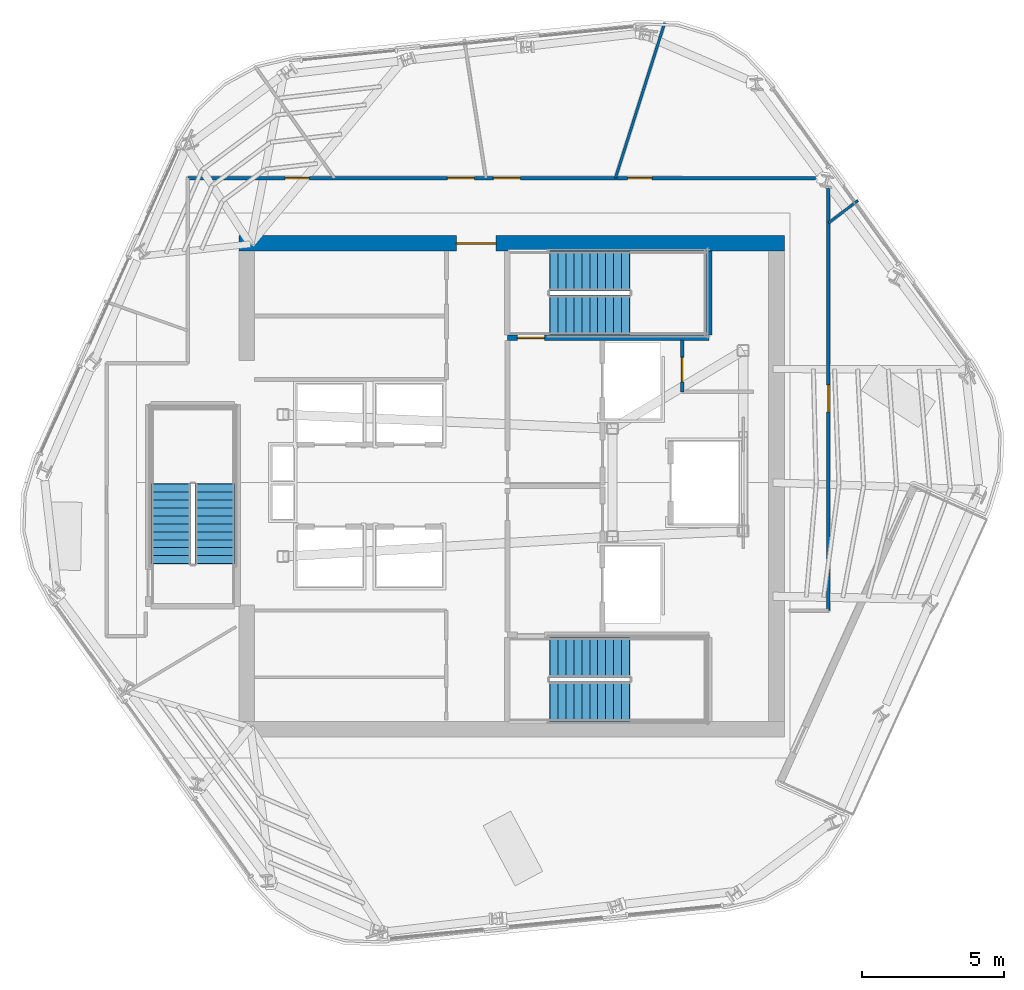
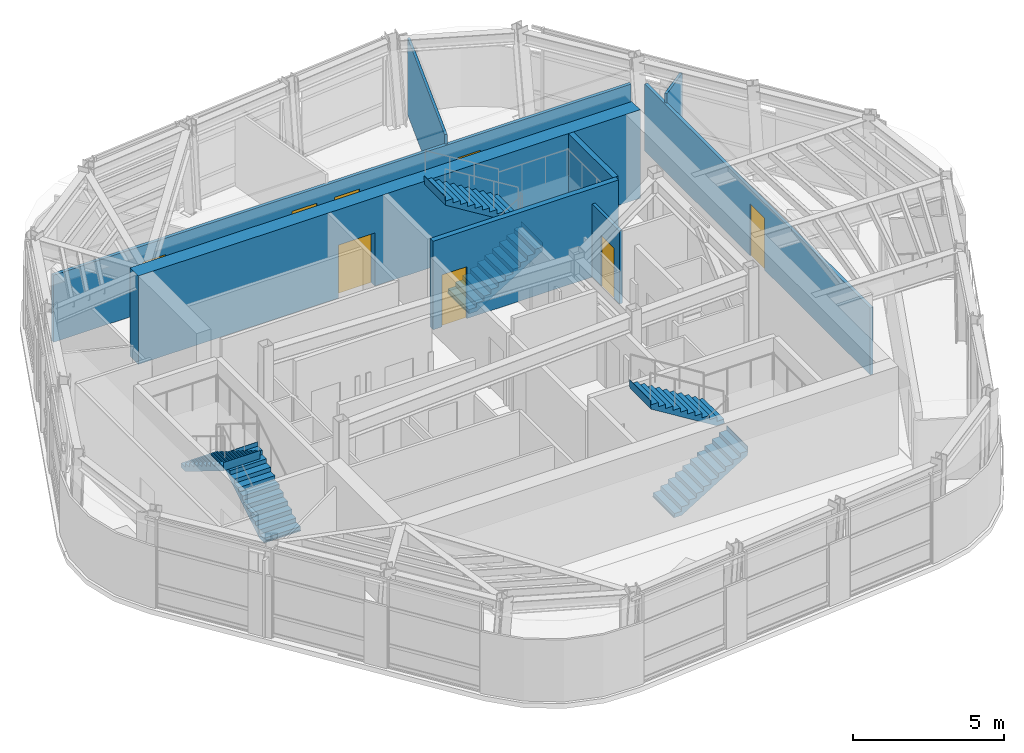
# One storey, part 7 of 12: 8 doors, 8 walls, 6 stair flights, 8 openings, 3 elements without a shape of their own.
"""IFC4 building model written with IfcOpenShell, lengths in metres."""

from ifc_helpers import new_model, si_unit, direction, frame, frame_2d, origin, place, context, subcontext, project, spatial, polyline, rectangle, outline, extrude, material, layer, layer_set, type_object, element, fill, aggregate, save


model = new_model("IFC4")

# Units and contexts
model_context = context("Model", 3, precision=1e-05, world=origin(), true_north=direction((0.0, 1.0)))
body_context = subcontext(model_context, "Body", "Model", "MODEL_VIEW")
ifc_project = project(units=[si_unit("LENGTHUNIT", "METRE"), si_unit("AREAUNIT", "SQUARE_METRE"), si_unit("VOLUMEUNIT", "CUBIC_METRE"), si_unit("PLANEANGLEUNIT", "RADIAN"), si_unit("MASSUNIT", "GRAM", prefix="KILO")], contexts=[model_context])

# Site, building, storey
site_placement = place(None, origin())
site = spatial("IfcSite", under=ifc_project, at=site_placement, CompositionType="ELEMENT")
building_placement = place(site_placement, origin())
building = spatial("IfcBuilding", under=site, at=building_placement, Name="Valkerne Bourse Tower", CompositionType="ELEMENT")
storey_placement = place(building_placement, frame((0.0, 0.0, 307.800048828125)))
storey = spatial("IfcBuildingStorey", under=building, at=storey_placement, Name="L78", CompositionType="ELEMENT", Elevation=307.800048828125)

# Wall, opening, door
ifc_material_1 = material(Name="Concrete C55/67", Category="concrete")
ifc_layer_1 = layer(ifc_material_1, 0.550048828125)
ifc_layer_set_1 = layer_set([ifc_layer_1], Name="Concrete C55/67")
wall_type_1 = type_object("IfcWallType", Name="W-CORE-550", PredefinedType="SHEAR", material=ifc_layer_set_1)
wall_1_placement = place(storey_placement, frame((37.199951171875, 35.425048828125, 0.0), z_axis=(0.0, 0.0, 1.0), x_axis=(1.0, 0.0, 0.0)))
wall_1 = element("IfcWall", 1, at=wall_1_placement, inside=storey, type_object=wall_type_1, Name="L78 Core Shear Wall NORTH", PredefinedType="SHEAR", context=body_context, shape_type="SweptSolid", body=[
    extrude(rectangle(XDim=19.199951171875, YDim=0.550048828125, at=frame_2d((9.60009765625, 0.0))), origin(), (0.0, 0.0, 1.0), 3.579833984375),
])
opening_1_placement = place(wall_1_placement, frame((7.64990234375, 0.0, 0.0)))
opening_1 = element("IfcOpeningElement", 2, at=opening_1_placement, cuts=wall_1, Name="Opening D-PL-1400", PredefinedType="OPENING", context=body_context, shape_type="SweptSolid", body=[
    extrude(rectangle(XDim=1.39990234375, YDim=2.14990234375, at=frame_2d((0.699951171875, 1.074951171875))), frame((0.0, 0.284912109375, 0.0), z_axis=(0.0, -1.0, 0.0), x_axis=(1.0, 0.0, 0.0)), (0.0, 0.0, 1.0), 0.570068359375),
])
ifc_material_2 = material(Name="Galvanised Painted Steel", Category="steel")
door_type_1 = type_object("IfcDoorType", Name="DR-PLT-1400", OperationType="DOUBLE_DOOR_SINGLE_SWING", PredefinedType="DOOR", material=ifc_material_2)
door_1_placement = place(opening_1_placement, origin())
door_1 = element("IfcDoor", 3, at=door_1_placement, inside=storey, type_object=door_type_1, Name="L78 North Passenger Lift Hall Fire Door", OperationType="DOUBLE_DOOR_SINGLE_SWING", OverallHeight=2.14990234375, OverallWidth=1.39990234375, PredefinedType="DOOR", context=body_context, shape_type="SweptSolid", body=[
    extrude(rectangle(XDim=1.39990234375, YDim=2.14990234375, at=frame_2d((0.699951171875, 1.074951171875))), frame((0.0, 0.02490234375, 0.0), z_axis=(0.0, -1.0, 0.0), x_axis=(1.0, 0.0, 0.0)), (0.0, 0.0, 1.0), 0.050048828125),
])
fill(opening_1, door_1)

ifc_material_3 = material(Name="Gypsum Board Steel-Stud Partition", Category="steel")
ifc_layer_2 = layer(ifc_material_3, 0.117919921875)
ifc_layer_set_2 = layer_set([ifc_layer_2], Name="Gypsum Board Steel-Stud Partition")
wall_type_2 = type_object("IfcWallType", Name="W-CORR-140", PredefinedType="PARTITIONING", material=ifc_layer_set_2)
wall_2_placement = place(storey_placement, frame((52.800048828125, 30.199951171875, 0.0), z_axis=(0.0, 0.0, 1.0), x_axis=(0.0, 1.0, 0.0)))
wall_2 = element("IfcWall", 4, at=wall_2_placement, inside=storey, type_object=wall_type_2, Name="L78 Core NE Bay West Wall", PredefinedType="PARTITIONING", context=body_context, shape_type="SweptSolid", body=[
    extrude(rectangle(XDim=1.820068359375, YDim=0.117919921875, at=frame_2d((0.91015625, 0.0))), origin(), (0.0, 0.0, 1.0), 2.957763671875),
])
opening_2_placement = place(wall_2_placement, frame((0.35009765625, 0.0, 0.0)))
opening_2 = element("IfcOpeningElement", 5, at=opening_2_placement, cuts=wall_2, Name="Opening D-WC-900", PredefinedType="OPENING", context=body_context, shape_type="SweptSolid", body=[
    extrude(rectangle(XDim=0.860107421875, YDim=2.050048828125, at=frame_2d((0.43017578125, 1.02490234375))), frame((0.0, 0.06884765625, 0.0), z_axis=(0.0, -1.0, 0.0), x_axis=(1.0, 0.0, 0.0)), (0.0, 0.0, 1.0), 0.137939453125),
])
ifc_material_4 = material(Name="Architectural White Oak Timber", Category="wood")
door_type_2 = type_object("IfcDoorType", Name="DR-WC-900", OperationType="NOTDEFINED", PredefinedType="DOOR", material=ifc_material_4)
door_2_placement = place(opening_2_placement, origin())
door_2 = element("IfcDoor", 6, at=door_2_placement, inside=storey, type_object=door_type_2, Name="L78 Electrical Closet Door", OperationType="SINGLE_SWING_LEFT", OverallHeight=2.050048828125, OverallWidth=0.860107421875, PredefinedType="DOOR", context=body_context, shape_type="SweptSolid", body=[
    extrude(rectangle(XDim=0.860107421875, YDim=2.050048828125, at=frame_2d((0.43017578125, 1.02490234375))), frame((0.0, 0.02490234375, 0.0), z_axis=(0.0, -1.0, 0.0), x_axis=(1.0, 0.0, 0.0)), (0.0, 0.0, 1.0), 0.050048828125),
])
fill(opening_2, door_2)

# Wall, openings, doors
wall_3_placement = place(storey_placement, frame((35.39990234375, 37.719970703125, 0.0), z_axis=(0.0, 0.0, 1.0), x_axis=(1.0, 0.0, 0.0)))
wall_3 = element("IfcWall", 7, at=wall_3_placement, inside=storey, type_object=wall_type_2, Name="L78 Corridor Enclosure Wall", PredefinedType="PARTITIONING", context=body_context, shape_type="SweptSolid", body=[
    extrude(rectangle(XDim=22.1015625, YDim=0.117919921875, at=frame_2d((11.05078125, 0.0))), origin(), (0.0, 0.0, 1.0), 2.71142578125),
])
opening_3_placement = place(wall_3_placement, frame((3.4208984375, 0.0, 0.0)))
opening_3 = element("IfcOpeningElement", 8, at=opening_3_placement, cuts=wall_3, Name="Opening D-WC-900", PredefinedType="OPENING", context=body_context, shape_type="SweptSolid", body=[
    extrude(rectangle(XDim=0.860107421875, YDim=2.050048828125, at=frame_2d((0.43017578125, 1.02490234375))), frame((0.0, 0.06884765625, 0.0), z_axis=(0.0, -1.0, 0.0), x_axis=(1.0, 0.0, 0.0)), (0.0, 0.0, 1.0), 0.137939453125),
])
opening_4_placement = place(wall_3_placement, frame((15.480712890625, 0.0, 0.0)))
opening_4 = element("IfcOpeningElement", 9, at=opening_4_placement, cuts=wall_3, Name="Opening D-WC-900", PredefinedType="OPENING", context=body_context, shape_type="SweptSolid", body=[
    extrude(rectangle(XDim=0.860107421875, YDim=2.050048828125, at=frame_2d((0.43017578125, 1.02490234375))), frame((0.0, 0.06884765625, 0.0), z_axis=(0.0, -1.0, 0.0), x_axis=(1.0, 0.0, 0.0)), (0.0, 0.0, 1.0), 0.137939453125),
])
opening_5_placement = place(wall_3_placement, frame((9.1357421875, 0.0, 0.0)))
opening_5 = element("IfcOpeningElement", 10, at=opening_5_placement, cuts=wall_3, Name="Opening D-OF-950", PredefinedType="OPENING", context=body_context, shape_type="SweptSolid", body=[
    extrude(rectangle(XDim=0.949951171875, YDim=2.10009765625, at=frame_2d((0.47509765625, 1.050048828125))), frame((0.0, 0.06884765625, 0.0), z_axis=(0.0, -1.0, 0.0), x_axis=(1.0, 0.0, 0.0)), (0.0, 0.0, 1.0), 0.137939453125),
])
opening_6_placement = place(wall_3_placement, frame((10.755859375, 0.0, 0.0)))
opening_6 = element("IfcOpeningElement", 11, at=opening_6_placement, cuts=wall_3, Name="Opening D-OF-950", PredefinedType="OPENING", context=body_context, shape_type="SweptSolid", body=[
    extrude(rectangle(XDim=0.949951171875, YDim=2.10009765625, at=frame_2d((0.47509765625, 1.050048828125))), frame((0.0, 0.06884765625, 0.0), z_axis=(0.0, -1.0, 0.0), x_axis=(1.0, 0.0, 0.0)), (0.0, 0.0, 1.0), 0.137939453125),
])
door_type_3 = type_object("IfcDoorType", Name="DR-OFF-950", OperationType="NOTDEFINED", PredefinedType="DOOR", material=ifc_material_4)
door_3_placement = place(opening_5_placement, origin())
door_3 = element("IfcDoor", 12, at=door_3_placement, inside=storey, type_object=door_type_3, Name="L78 L78 Occupational Wellness Clinic 3 Door", OperationType="SINGLE_SWING_LEFT", OverallHeight=2.10009765625, OverallWidth=0.949951171875, PredefinedType="DOOR", context=body_context, shape_type="SweptSolid", body=[
    extrude(rectangle(XDim=0.949951171875, YDim=2.10009765625, at=frame_2d((0.47509765625, 1.050048828125))), frame((0.0, 0.02490234375, 0.0), z_axis=(0.0, -1.0, 0.0), x_axis=(1.0, 0.0, 0.0)), (0.0, 0.0, 1.0), 0.050048828125),
])
fill(opening_5, door_3)
door_4_placement = place(opening_6_placement, origin())
door_4 = element("IfcDoor", 13, at=door_4_placement, inside=storey, type_object=door_type_3, Name="L78 L78 Occupational Wellness Clinic 4 Door", OperationType="SINGLE_SWING_LEFT", OverallHeight=2.10009765625, OverallWidth=0.949951171875, PredefinedType="DOOR", context=body_context, shape_type="SweptSolid", body=[
    extrude(rectangle(XDim=0.949951171875, YDim=2.10009765625, at=frame_2d((0.47509765625, 1.050048828125))), frame((0.0, 0.02490234375, 0.0), z_axis=(0.0, -1.0, 0.0), x_axis=(1.0, 0.0, 0.0)), (0.0, 0.0, 1.0), 0.050048828125),
])
fill(opening_6, door_4)
door_5_placement = place(opening_3_placement, origin())
door_5 = element("IfcDoor", 14, at=door_5_placement, inside=storey, type_object=door_type_2, Name="L78 L78 Men Bathroom WC 1 Door", OperationType="SINGLE_SWING_LEFT", OverallHeight=2.050048828125, OverallWidth=0.860107421875, PredefinedType="DOOR", context=body_context, shape_type="SweptSolid", body=[
    extrude(rectangle(XDim=0.860107421875, YDim=2.050048828125, at=frame_2d((0.43017578125, 1.02490234375))), frame((0.0, 0.02490234375, 0.0), z_axis=(0.0, -1.0, 0.0), x_axis=(1.0, 0.0, 0.0)), (0.0, 0.0, 1.0), 0.050048828125),
])
fill(opening_3, door_5)
door_6_placement = place(opening_4_placement, origin())
door_6 = element("IfcDoor", 15, at=door_6_placement, inside=storey, type_object=door_type_2, Name="L78 L78 Women Restroom & Shower WC 2 Door", OperationType="SINGLE_SWING_LEFT", OverallHeight=2.050048828125, OverallWidth=0.860107421875, PredefinedType="DOOR", context=body_context, shape_type="SweptSolid", body=[
    extrude(rectangle(XDim=0.860107421875, YDim=2.050048828125, at=frame_2d((0.43017578125, 1.02490234375))), frame((0.0, 0.02490234375, 0.0), z_axis=(0.0, -1.0, 0.0), x_axis=(1.0, 0.0, 0.0)), (0.0, 0.0, 1.0), 0.050048828125),
])
fill(opening_4, door_6)

# Wall, opening, door
wall_4_placement = place(storey_placement, frame((57.949951171875, 37.443603515625, 0.0), z_axis=(0.0, 0.0, 1.0), x_axis=(0.0, -1.0, 0.0)))
wall_4 = element("IfcWall", 16, at=wall_4_placement, inside=storey, type_object=wall_type_2, Name="L78 Corridor Enclosure Wall", PredefinedType="PARTITIONING", context=body_context, shape_type="SweptSolid", body=[
    extrude(rectangle(XDim=14.943603515625, YDim=0.117919921875, at=frame_2d((7.4716796875, 0.0))), origin(), (0.0, 0.0, 1.0), 2.71142578125),
])
opening_7_placement = place(wall_4_placement, frame((6.996826171875, 0.0, 0.0)))
opening_7 = element("IfcOpeningElement", 17, at=opening_7_placement, cuts=wall_4, Name="Opening D-OF-950", PredefinedType="OPENING", context=body_context, shape_type="SweptSolid", body=[
    extrude(rectangle(XDim=0.949951171875, YDim=2.10009765625, at=frame_2d((0.47509765625, 1.050048828125))), frame((0.0, 0.06884765625, 0.0), z_axis=(0.0, -1.0, 0.0), x_axis=(1.0, 0.0, 0.0)), (0.0, 0.0, 1.0), 0.137939453125),
])
door_7_placement = place(opening_7_placement, origin())
door_7 = element("IfcDoor", 18, at=door_7_placement, inside=storey, type_object=door_type_3, Name="L78 L78 Trading Desk Office 6 Door", OperationType="SINGLE_SWING_LEFT", OverallHeight=2.10009765625, OverallWidth=0.949951171875, PredefinedType="DOOR", context=body_context, shape_type="SweptSolid", body=[
    extrude(rectangle(XDim=0.949951171875, YDim=2.10009765625, at=frame_2d((0.47509765625, 1.050048828125))), frame((0.0, 0.02490234375, 0.0), z_axis=(0.0, -1.0, 0.0), x_axis=(1.0, 0.0, 0.0)), (0.0, 0.0, 1.0), 0.050048828125),
])
fill(opening_7, door_7)

# Walls
ifc_layer_3 = layer(ifc_material_3, 0.092041015625)
ifc_layer_set_3 = layer_set([ifc_layer_3], Name="Gypsum Board Steel-Stud Partition")
wall_type_3 = type_object("IfcWallType", Name="W-PART-115", PredefinedType="PARTITIONING", material=ifc_layer_set_3)
wall_5_placement = place(storey_placement, frame((50.453125, 37.72509765625, 0.0), z_axis=(0.0, 0.0, 1.0), x_axis=(0.302388210529, 0.953184856223, 0.0)))
element("IfcWall", 19, at=wall_5_placement, inside=storey, type_object=wall_type_3, Name="L78 Suite Partition P01", PredefinedType="PARTITIONING", context=body_context, shape_type="SweptSolid", body=[
    extrude(rectangle(XDim=5.73486328125, YDim=0.092041015625, at=frame_2d((2.867431640625, 0.0))), origin(), (0.0, 0.0, 1.0), 3.094970703125),
])
wall_6_placement = place(storey_placement, frame((57.955078125, 36.14501953125, 0.0), z_axis=(0.0, 0.0, 1.0), x_axis=(0.795375907227, 0.606116462573, 0.0)))
element("IfcWall", 20, at=wall_6_placement, inside=storey, type_object=wall_type_3, Name="L78 Suite Partition P06", PredefinedType="PARTITIONING", context=body_context, shape_type="SweptSolid", body=[
    extrude(rectangle(XDim=1.305419921875, YDim=0.092041015625, at=frame_2d((0.65283203125, 0.0))), origin(), (0.0, 0.0, 1.0), 3.094970703125),
])

# Wall, opening, door
ifc_material_5 = material(Name="Concrete C40/50", Category="concrete")
ifc_layer_4 = layer(ifc_material_5, 0.199951171875)
ifc_layer_set_4 = layer_set([ifc_layer_4], Name="Concrete C40/50")
wall_type_4 = type_object("IfcWallType", Name="W-SHF-200", PredefinedType="SHEAR", material=ifc_layer_set_4)
wall_7_placement = place(storey_placement, frame((46.64990234375, 32.10009765625, 0.0), z_axis=(0.0, 0.0, 1.0), x_axis=(1.0, 0.0, 0.0)))
wall_7 = element("IfcWall", 21, at=wall_7_placement, inside=storey, type_object=wall_type_4, Name="L78 Exit Stair ST-2 Structural Shaft Wall South", PredefinedType="SHEAR", context=body_context, shape_type="SweptSolid", body=[
    extrude(rectangle(XDim=7.10009765625, YDim=0.199951171875, at=frame_2d((3.550048828125, 0.0))), origin(), (0.0, 0.0, 1.0), 3.579833984375),
])
opening_8_placement = place(wall_7_placement, frame((0.35009765625, 0.0, 0.0)))
opening_8 = element("IfcOpeningElement", 22, at=opening_8_placement, cuts=wall_7, Name="Opening D-ST-950", PredefinedType="OPENING", context=body_context, shape_type="SweptSolid", body=[
    extrude(rectangle(XDim=0.949951171875, YDim=2.10009765625, at=frame_2d((0.47509765625, 1.050048828125))), frame((0.0, 0.10986328125, 0.0), z_axis=(0.0, -1.0, 0.0), x_axis=(1.0, 0.0, 0.0)), (0.0, 0.0, 1.0), 0.219970703125),
])
door_type_4 = type_object("IfcDoorType", Name="DR-STAIR-950", OperationType="NOTDEFINED", PredefinedType="DOOR", material=ifc_material_2)
door_8_placement = place(opening_8_placement, origin())
door_8 = element("IfcDoor", 23, at=door_8_placement, inside=storey, type_object=door_type_4, Name="L78 Exit Stair ST-2 Door", OperationType="SINGLE_SWING_LEFT", OverallHeight=2.10009765625, OverallWidth=0.949951171875, PredefinedType="DOOR", context=body_context, shape_type="SweptSolid", body=[
    extrude(rectangle(XDim=0.949951171875, YDim=2.10009765625, at=frame_2d((0.47509765625, 1.050048828125))), frame((0.0, 0.02490234375, 0.0), z_axis=(0.0, -1.0, 0.0), x_axis=(1.0, 0.0, 0.0)), (0.0, 0.0, 1.0), 0.050048828125),
])
fill(opening_8, door_8)

# Wall
wall_8_placement = place(storey_placement, frame((53.75, 32.199951171875, 0.0), z_axis=(0.0, 0.0, 1.0), x_axis=(0.0, 1.0, 0.0)))
element("IfcWall", 24, at=wall_8_placement, inside=storey, type_object=wall_type_4, Name="L78 Exit Stair ST-2 Structural Shaft Wall East", PredefinedType="SHEAR", context=body_context, shape_type="SweptSolid", body=[
    extrude(rectangle(XDim=2.949951171875, YDim=0.199951171875, at=frame_2d((1.47509765625, 0.0))), origin(), (0.0, 0.0, 1.0), 3.579833984375),
])

# Stair, stair flights
stair_type = type_object("IfcStairType", Name="ST-CORE-1400", PredefinedType="HALF_TURN_STAIR", material=ifc_material_5)
stair_1_placement = place(storey_placement, origin())
stair_1 = element("IfcStair", 25, at=stair_1_placement, inside=storey, type_object=stair_type, Name="L78 ST-1", PredefinedType="HALF_TURN_STAIR")
stair_flight_type = type_object("IfcStairFlightType", Name="STF-CORE-1400", PredefinedType="STRAIGHT", material=ifc_material_5)
stair_flight_1_placement = place(storey_placement, frame((48.14990234375, 19.300048828125, 0.0), z_axis=(0.0, 0.0, 1.0), x_axis=(1.0, 0.0, 0.0)))
stair_flight_1 = element("IfcStairFlight", 26, at=stair_flight_1_placement, type_object=stair_flight_type, Name="ST-1 flight 1", NumberOfRisers=11, NumberOfTreads=10, PredefinedType="STRAIGHT", RiserHeight=0.172727273, TreadLength=0.28, context=body_context, shape_type="SweptSolid", body=[
    extrude(outline(polyline([(-0.02001953125, 0.0), (-0.02001953125, 0.044921875), (0.0, 0.044921875), (0.0, 0.172607421875), (0.280029296875, 0.172607421875), (0.280029296875, 0.345458984375), (0.56005859375, 0.345458984375), (0.56005859375, 0.51806640625), (0.840087890625, 0.51806640625), (0.840087890625, 0.69091796875), (1.1201171875, 0.69091796875), (1.1201171875, 0.863525390625), (1.39990234375, 0.863525390625), (1.39990234375, 1.036376953125), (1.679931640625, 1.036376953125), (1.679931640625, 1.208984375), (1.9599609375, 1.208984375), (1.9599609375, 1.3818359375), (2.239990234375, 1.3818359375), (2.239990234375, 1.554443359375), (2.52001953125, 1.554443359375), (2.52001953125, 1.727294921875), (2.800048828125, 1.727294921875), (2.800048828125, 1.89990234375), (2.820068359375, 1.89990234375), (2.820068359375, 1.780029296875), (2.800048828125, 1.551025390625), (0.285400390625, 0.0), (-0.02001953125, 0.0)])), frame((0.0, 0.699951171875, 0.0), z_axis=(0.0, -1.0, 0.0), x_axis=(1.0, 0.0, 0.0)), (0.0, 0.0, 1.0), 1.39990234375),
])
stair_flight_2_placement = place(storey_placement, frame((50.949951171875, 20.85009765625, 1.89990234375), z_axis=(0.0, 0.0, 1.0), x_axis=(-1.0, 0.0, 0.0)))
stair_flight_2 = element("IfcStairFlight", 27, at=stair_flight_2_placement, type_object=stair_flight_type, Name="ST-1 flight 2", NumberOfRisers=11, NumberOfTreads=10, PredefinedType="STRAIGHT", RiserHeight=0.172727273, TreadLength=0.28, context=body_context, shape_type="SweptSolid", body=[
    extrude(outline(polyline([(-0.02001953125, 0.0), (-0.02001953125, 0.044921875), (0.0, 0.044921875), (0.0, 0.172607421875), (0.280029296875, 0.172607421875), (0.280029296875, 0.345458984375), (0.56005859375, 0.345458984375), (0.56005859375, 0.51806640625), (0.840087890625, 0.51806640625), (0.840087890625, 0.69091796875), (1.1201171875, 0.69091796875), (1.1201171875, 0.863525390625), (1.39990234375, 0.863525390625), (1.39990234375, 1.036376953125), (1.679931640625, 1.036376953125), (1.679931640625, 1.208984375), (1.9599609375, 1.208984375), (1.9599609375, 1.3818359375), (2.239990234375, 1.3818359375), (2.239990234375, 1.554443359375), (2.52001953125, 1.554443359375), (2.52001953125, 1.727294921875), (2.800048828125, 1.727294921875), (2.800048828125, 1.89990234375), (2.820068359375, 1.89990234375), (2.820068359375, 1.780029296875), (2.800048828125, 1.551025390625), (0.285400390625, 0.0), (-0.02001953125, 0.0)])), frame((0.0, 0.699951171875, 0.0), z_axis=(0.0, -1.0, 0.0), x_axis=(1.0, 0.0, 0.0)), (0.0, 0.0, 1.0), 1.39990234375),
])
aggregate(stair_1, [stair_flight_1, stair_flight_2])

stair_2_placement = place(storey_placement, origin())
stair_2 = element("IfcStair", 28, at=stair_2_placement, inside=storey, type_object=stair_type, Name="L78 ST-2", PredefinedType="HALF_TURN_STAIR")
stair_flight_3_placement = place(storey_placement, frame((48.14990234375, 32.89990234375, 0.0), z_axis=(0.0, 0.0, 1.0), x_axis=(1.0, 0.0, 0.0)))
stair_flight_3 = element("IfcStairFlight", 29, at=stair_flight_3_placement, type_object=stair_flight_type, Name="ST-2 flight 1", NumberOfRisers=11, NumberOfTreads=10, PredefinedType="STRAIGHT", RiserHeight=0.172727273, TreadLength=0.28, context=body_context, shape_type="SweptSolid", body=[
    extrude(outline(polyline([(-0.02001953125, 0.0), (-0.02001953125, 0.044921875), (0.0, 0.044921875), (0.0, 0.172607421875), (0.280029296875, 0.172607421875), (0.280029296875, 0.345458984375), (0.56005859375, 0.345458984375), (0.56005859375, 0.51806640625), (0.840087890625, 0.51806640625), (0.840087890625, 0.69091796875), (1.1201171875, 0.69091796875), (1.1201171875, 0.863525390625), (1.39990234375, 0.863525390625), (1.39990234375, 1.036376953125), (1.679931640625, 1.036376953125), (1.679931640625, 1.208984375), (1.9599609375, 1.208984375), (1.9599609375, 1.3818359375), (2.239990234375, 1.3818359375), (2.239990234375, 1.554443359375), (2.52001953125, 1.554443359375), (2.52001953125, 1.727294921875), (2.800048828125, 1.727294921875), (2.800048828125, 1.89990234375), (2.820068359375, 1.89990234375), (2.820068359375, 1.780029296875), (2.800048828125, 1.551025390625), (0.285400390625, 0.0), (-0.02001953125, 0.0)])), frame((0.0, 0.699951171875, 0.0), z_axis=(0.0, -1.0, 0.0), x_axis=(1.0, 0.0, 0.0)), (0.0, 0.0, 1.0), 1.39990234375),
])
stair_flight_4_placement = place(storey_placement, frame((50.949951171875, 34.449951171875, 1.89990234375), z_axis=(0.0, 0.0, 1.0), x_axis=(-1.0, 0.0, 0.0)))
stair_flight_4 = element("IfcStairFlight", 30, at=stair_flight_4_placement, type_object=stair_flight_type, Name="ST-2 flight 2", NumberOfRisers=11, NumberOfTreads=10, PredefinedType="STRAIGHT", RiserHeight=0.172727273, TreadLength=0.28, context=body_context, shape_type="SweptSolid", body=[
    extrude(outline(polyline([(-0.02001953125, 0.0), (-0.02001953125, 0.044921875), (0.0, 0.044921875), (0.0, 0.172607421875), (0.280029296875, 0.172607421875), (0.280029296875, 0.345458984375), (0.56005859375, 0.345458984375), (0.56005859375, 0.51806640625), (0.840087890625, 0.51806640625), (0.840087890625, 0.69091796875), (1.1201171875, 0.69091796875), (1.1201171875, 0.863525390625), (1.39990234375, 0.863525390625), (1.39990234375, 1.036376953125), (1.679931640625, 1.036376953125), (1.679931640625, 1.208984375), (1.9599609375, 1.208984375), (1.9599609375, 1.3818359375), (2.239990234375, 1.3818359375), (2.239990234375, 1.554443359375), (2.52001953125, 1.554443359375), (2.52001953125, 1.727294921875), (2.800048828125, 1.727294921875), (2.800048828125, 1.89990234375), (2.820068359375, 1.89990234375), (2.820068359375, 1.780029296875), (2.800048828125, 1.551025390625), (0.285400390625, 0.0), (-0.02001953125, 0.0)])), frame((0.0, 0.699951171875, 0.0), z_axis=(0.0, -1.0, 0.0), x_axis=(1.0, 0.0, 0.0)), (0.0, 0.0, 1.0), 1.39990234375),
])
aggregate(stair_2, [stair_flight_3, stair_flight_4])

stair_3_placement = place(storey_placement, origin())
stair_3 = element("IfcStair", 31, at=stair_3_placement, inside=storey, type_object=stair_type, Name="L78 ST-3", PredefinedType="HALF_TURN_STAIR")
stair_flight_5_placement = place(storey_placement, frame((36.35009765625, 24.14990234375, 0.0), z_axis=(0.0, 0.0, 1.0), x_axis=(0.0, 1.0, 0.0)))
stair_flight_5 = element("IfcStairFlight", 32, at=stair_flight_5_placement, type_object=stair_flight_type, Name="ST-3 flight 1", NumberOfRisers=11, NumberOfTreads=10, PredefinedType="STRAIGHT", RiserHeight=0.172727273, TreadLength=0.28, context=body_context, shape_type="SweptSolid", body=[
    extrude(outline(polyline([(-0.02001953125, 0.0), (-0.02001953125, 0.044921875), (0.0, 0.044921875), (0.0, 0.172607421875), (0.280029296875, 0.172607421875), (0.280029296875, 0.345458984375), (0.56005859375, 0.345458984375), (0.56005859375, 0.51806640625), (0.840087890625, 0.51806640625), (0.840087890625, 0.69091796875), (1.1201171875, 0.69091796875), (1.1201171875, 0.863525390625), (1.39990234375, 0.863525390625), (1.39990234375, 1.036376953125), (1.679931640625, 1.036376953125), (1.679931640625, 1.208984375), (1.9599609375, 1.208984375), (1.9599609375, 1.3818359375), (2.239990234375, 1.3818359375), (2.239990234375, 1.554443359375), (2.52001953125, 1.554443359375), (2.52001953125, 1.727294921875), (2.800048828125, 1.727294921875), (2.800048828125, 1.89990234375), (2.820068359375, 1.89990234375), (2.820068359375, 1.780029296875), (2.800048828125, 1.551025390625), (0.285400390625, 0.0), (-0.02001953125, 0.0)])), frame((0.0, 0.699951171875, 0.0), z_axis=(0.0, -1.0, 0.0), x_axis=(1.0, 0.0, 0.0)), (0.0, 0.0, 1.0), 1.39990234375),
])
stair_flight_6_placement = place(storey_placement, frame((34.800048828125, 26.949951171875, 1.89990234375), z_axis=(0.0, 0.0, 1.0), x_axis=(0.0, -1.0, 0.0)))
stair_flight_6 = element("IfcStairFlight", 33, at=stair_flight_6_placement, type_object=stair_flight_type, Name="ST-3 flight 2", NumberOfRisers=11, NumberOfTreads=10, PredefinedType="STRAIGHT", RiserHeight=0.172727273, TreadLength=0.28, context=body_context, shape_type="SweptSolid", body=[
    extrude(outline(polyline([(-0.02001953125, 0.0), (-0.02001953125, 0.044921875), (0.0, 0.044921875), (0.0, 0.172607421875), (0.280029296875, 0.172607421875), (0.280029296875, 0.345458984375), (0.56005859375, 0.345458984375), (0.56005859375, 0.51806640625), (0.840087890625, 0.51806640625), (0.840087890625, 0.69091796875), (1.1201171875, 0.69091796875), (1.1201171875, 0.863525390625), (1.39990234375, 0.863525390625), (1.39990234375, 1.036376953125), (1.679931640625, 1.036376953125), (1.679931640625, 1.208984375), (1.9599609375, 1.208984375), (1.9599609375, 1.3818359375), (2.239990234375, 1.3818359375), (2.239990234375, 1.554443359375), (2.52001953125, 1.554443359375), (2.52001953125, 1.727294921875), (2.800048828125, 1.727294921875), (2.800048828125, 1.89990234375), (2.820068359375, 1.89990234375), (2.820068359375, 1.780029296875), (2.800048828125, 1.551025390625), (0.285400390625, 0.0), (-0.02001953125, 0.0)])), frame((0.0, 0.699951171875, 0.0), z_axis=(0.0, -1.0, 0.0), x_axis=(1.0, 0.0, 0.0)), (0.0, 0.0, 1.0), 1.39990234375),
])
aggregate(stair_3, [stair_flight_5, stair_flight_6])

save(model, "model.ifc")
